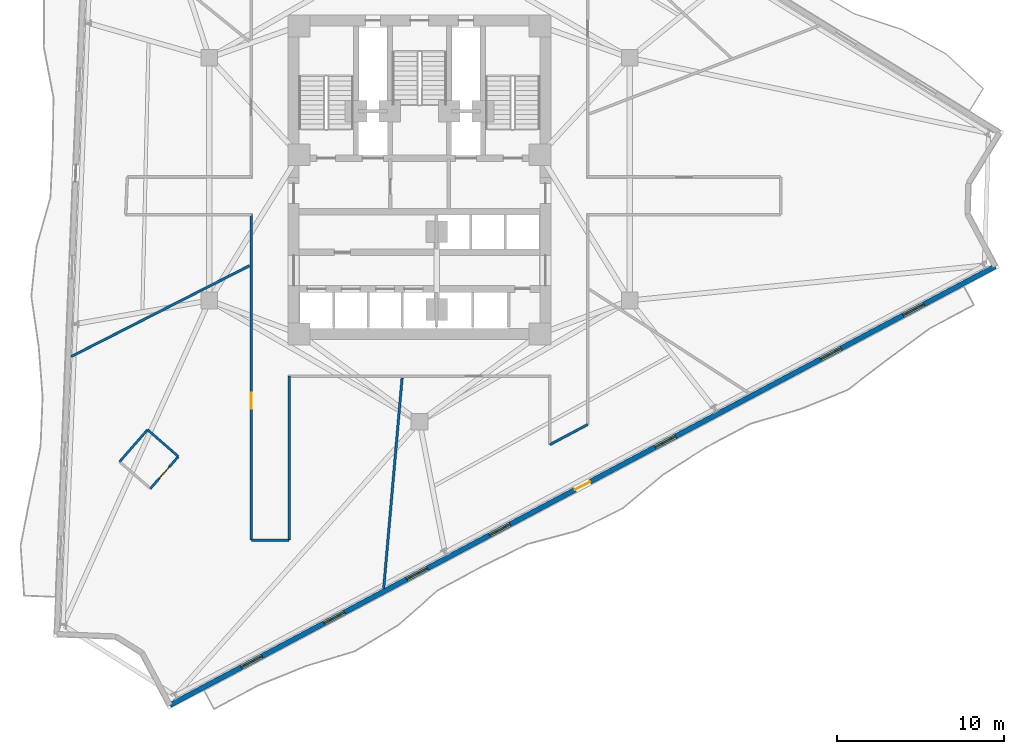
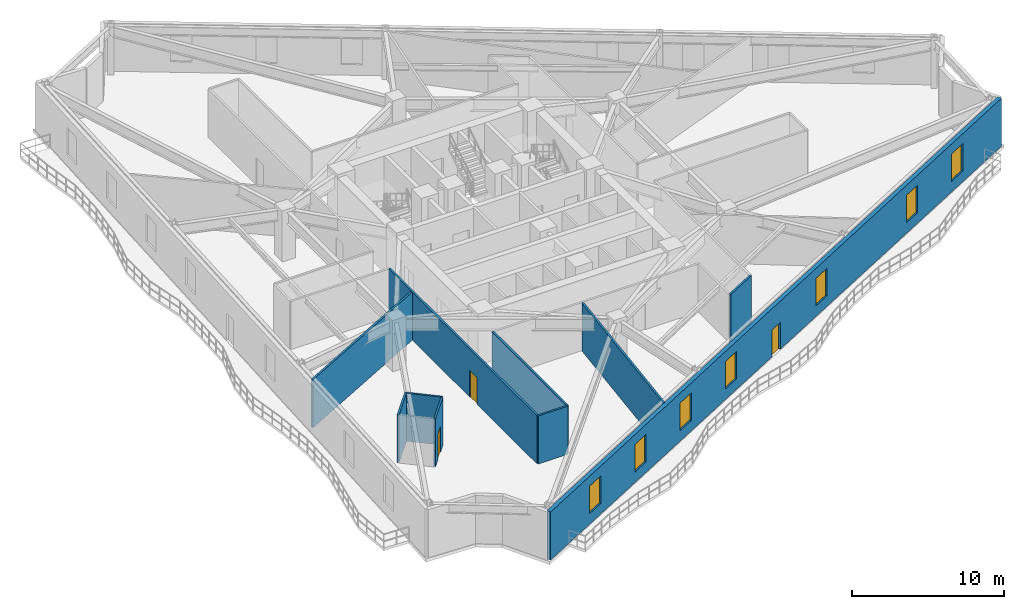
# One storey, part 5 of 12: 10 walls, 7 windows, 3 doors, 10 openings.
"""IFC4 building model written with IfcOpenShell, lengths in metres."""

from ifc_helpers import new_model, si_unit, direction, frame, frame_2d, origin, place, context, subcontext, project, spatial, rectangle, extrude, material, layer, layer_set, type_object, element, fill, save


model = new_model("IFC4")

# Units and contexts
model_context = context("Model", 3, precision=1e-05, world=origin(), true_north=direction((0.0, 1.0)))
body_context = subcontext(model_context, "Body", "Model", "MODEL_VIEW")
ifc_project = project(units=[si_unit("LENGTHUNIT", "METRE"), si_unit("AREAUNIT", "SQUARE_METRE"), si_unit("VOLUMEUNIT", "CUBIC_METRE"), si_unit("PLANEANGLEUNIT", "RADIAN"), si_unit("MASSUNIT", "GRAM", prefix="KILO")], contexts=[model_context])

# Site, building, storey
site_placement = place(None, origin())
site = spatial("IfcSite", under=ifc_project, at=site_placement, CompositionType="ELEMENT")
building_placement = place(site_placement, origin())
building = spatial("IfcBuilding", under=site, at=building_placement, Name="Apsidion Concourse Tower", CompositionType="ELEMENT")
storey_placement = place(building_placement, frame((0.0, 0.0, 181.89990234375)))
storey = spatial("IfcBuildingStorey", under=building, at=storey_placement, Name="L42", CompositionType="ELEMENT", Elevation=181.89990234375)

# Wall, openings, door, windows
ifc_material_1 = material(Name="Precast concrete C40/50", Category="concrete")
ifc_layer_1 = layer(ifc_material_1, 0.300048828125)
ifc_layer_set_1 = layer_set([ifc_layer_1], Name="Precast concrete C40/50")
wall_type_1 = type_object("IfcWallType", Name="WL-EXT-300", PredefinedType="STANDARD", material=ifc_layer_set_1)
wall_1_placement = place(storey_placement, frame((34.398193359375, -5.216796875, 0.0), z_axis=(0.0, 0.0, 1.0), x_axis=(-0.88294811928, -0.469470572731, 0.0)))
wall_1 = element("IfcWall", 1, at=wall_1_placement, inside=storey, type_object=wall_type_1, Name="L42 Precast Stone Facade Wall 05", PredefinedType="STANDARD", context=body_context, shape_type="SweptSolid", body=[
    extrude(rectangle(XDim=55.845458984375, YDim=0.300048828125, at=frame_2d((27.9228515625, 0.0))), origin(), (0.0, 0.0, 1.0), 3.85009765625),
])
opening_1_placement = place(wall_1_placement, frame((27.422607421875, 0.0, 0.0)))
opening_1 = element("IfcOpeningElement", 2, at=opening_1_placement, cuts=wall_1, Name="Opening D-T1R", PredefinedType="OPENING", context=body_context, shape_type="SweptSolid", body=[
    extrude(rectangle(XDim=1.0, YDim=2.14990234375, at=frame_2d((0.5, 1.074951171875))), frame((0.0, 0.16015625, 0.0), z_axis=(0.0, -1.0, 0.0), x_axis=(1.0, 0.0, 0.0)), (0.0, 0.0, 1.0), 0.320068359375),
])
opening_2_placement = place(wall_1_placement, frame((4.82275390625, 0.0, 0.85009765625)))
opening_2 = element("IfcOpeningElement", 3, at=opening_2_placement, cuts=wall_1, Name="Opening WN-05", PredefinedType="OPENING", context=body_context, shape_type="SweptSolid", body=[
    extrude(rectangle(XDim=1.39990234375, YDim=2.199951171875, at=frame_2d((0.699951171875, 1.10009765625))), frame((0.0, 0.16015625, 0.0), z_axis=(0.0, -1.0, 0.0), x_axis=(1.0, 0.0, 0.0)), (0.0, 0.0, 1.0), 0.320068359375),
])
opening_3_placement = place(wall_1_placement, frame((10.422607421875, 0.0, 0.85009765625)))
opening_3 = element("IfcOpeningElement", 4, at=opening_3_placement, cuts=wall_1, Name="Opening WN-05", PredefinedType="OPENING", context=body_context, shape_type="SweptSolid", body=[
    extrude(rectangle(XDim=1.39990234375, YDim=2.199951171875, at=frame_2d((0.699951171875, 1.10009765625))), frame((0.0, 0.16015625, 0.0), z_axis=(0.0, -1.0, 0.0), x_axis=(1.0, 0.0, 0.0)), (0.0, 0.0, 1.0), 0.320068359375),
])
opening_4_placement = place(wall_1_placement, frame((21.622802734375, 0.0, 0.85009765625)))
opening_4 = element("IfcOpeningElement", 5, at=opening_4_placement, cuts=wall_1, Name="Opening WN-05", PredefinedType="OPENING", context=body_context, shape_type="SweptSolid", body=[
    extrude(rectangle(XDim=1.39990234375, YDim=2.199951171875, at=frame_2d((0.699951171875, 1.10009765625))), frame((0.0, 0.16015625, 0.0), z_axis=(0.0, -1.0, 0.0), x_axis=(1.0, 0.0, 0.0)), (0.0, 0.0, 1.0), 0.320068359375),
])
opening_5_placement = place(wall_1_placement, frame((32.82275390625, 0.0, 0.85009765625)))
opening_5 = element("IfcOpeningElement", 6, at=opening_5_placement, cuts=wall_1, Name="Opening WN-05", PredefinedType="OPENING", context=body_context, shape_type="SweptSolid", body=[
    extrude(rectangle(XDim=1.39990234375, YDim=2.199951171875, at=frame_2d((0.699951171875, 1.10009765625))), frame((0.0, 0.16015625, 0.0), z_axis=(0.0, -1.0, 0.0), x_axis=(1.0, 0.0, 0.0)), (0.0, 0.0, 1.0), 0.320068359375),
])
opening_6_placement = place(wall_1_placement, frame((38.422607421875, 0.0, 0.85009765625)))
opening_6 = element("IfcOpeningElement", 7, at=opening_6_placement, cuts=wall_1, Name="Opening WN-05", PredefinedType="OPENING", context=body_context, shape_type="SweptSolid", body=[
    extrude(rectangle(XDim=1.39990234375, YDim=2.199951171875, at=frame_2d((0.699951171875, 1.10009765625))), frame((0.0, 0.16015625, 0.0), z_axis=(0.0, -1.0, 0.0), x_axis=(1.0, 0.0, 0.0)), (0.0, 0.0, 1.0), 0.320068359375),
])
opening_7_placement = place(wall_1_placement, frame((44.022705078125, 0.0, 0.85009765625)))
opening_7 = element("IfcOpeningElement", 8, at=opening_7_placement, cuts=wall_1, Name="Opening WN-05", PredefinedType="OPENING", context=body_context, shape_type="SweptSolid", body=[
    extrude(rectangle(XDim=1.39990234375, YDim=2.199951171875, at=frame_2d((0.699951171875, 1.10009765625))), frame((0.0, 0.16015625, 0.0), z_axis=(0.0, -1.0, 0.0), x_axis=(1.0, 0.0, 0.0)), (0.0, 0.0, 1.0), 0.320068359375),
])
opening_8_placement = place(wall_1_placement, frame((49.622802734375, 0.0, 0.85009765625)))
opening_8 = element("IfcOpeningElement", 9, at=opening_8_placement, cuts=wall_1, Name="Opening WN-05", PredefinedType="OPENING", context=body_context, shape_type="SweptSolid", body=[
    extrude(rectangle(XDim=1.39990234375, YDim=2.199951171875, at=frame_2d((0.699951171875, 1.10009765625))), frame((0.0, 0.16015625, 0.0), z_axis=(0.0, -1.0, 0.0), x_axis=(1.0, 0.0, 0.0)), (0.0, 0.0, 1.0), 0.320068359375),
])
ifc_material_2 = material(Name="Anodised aluminium EN AW-6063 T6", Category="aluminium")
door_type_1 = type_object("IfcDoorType", Name="DR-TER-1022R", OperationType="SINGLE_SWING_RIGHT", PredefinedType="DOOR", material=ifc_material_2)
door_1_placement = place(opening_1_placement, origin())
door_1 = element("IfcDoor", 10, at=door_1_placement, inside=storey, type_object=door_type_1, Name="L42 Balcony Access Door 2", OperationType="SINGLE_SWING_RIGHT", OverallHeight=2.14990234375, OverallWidth=1.0, PredefinedType="DOOR", context=body_context, shape_type="SweptSolid", body=[
    extrude(rectangle(XDim=1.0, YDim=2.14990234375, at=frame_2d((0.5, 1.074951171875))), frame((0.0, 0.02490234375, 0.0), z_axis=(0.0, -1.0, 0.0), x_axis=(1.0, 0.0, 0.0)), (0.0, 0.0, 1.0), 0.050048828125),
])
fill(opening_1, door_1)
ifc_material_3 = material(Name="Insulated laminated low-E glass", Category="glass")
window_type = type_object("IfcWindowType", Name="WN-OFF-1424", PartitioningType="SINGLE_PANEL", PredefinedType="WINDOW", material=ifc_material_3)
window_1_placement = place(opening_2_placement, origin())
window_1 = element("IfcWindow", 11, at=window_1_placement, inside=storey, type_object=window_type, Name="L42 Punched Facade Window 5-01", OverallHeight=2.199951171875, OverallWidth=1.39990234375, PartitioningType="SINGLE_PANEL", PredefinedType="WINDOW", context=body_context, shape_type="SweptSolid", body=[
    extrude(rectangle(XDim=1.39990234375, YDim=2.199951171875, at=frame_2d((0.699951171875, 1.10009765625))), frame((0.0, 0.030029296875, 0.0), z_axis=(0.0, -1.0, 0.0), x_axis=(1.0, 0.0, 0.0)), (0.0, 0.0, 1.0), 0.06005859375),
])
fill(opening_2, window_1)
window_2_placement = place(opening_3_placement, origin())
window_2 = element("IfcWindow", 12, at=window_2_placement, inside=storey, type_object=window_type, Name="L42 Punched Facade Window 5-02", OverallHeight=2.199951171875, OverallWidth=1.39990234375, PartitioningType="SINGLE_PANEL", PredefinedType="WINDOW", context=body_context, shape_type="SweptSolid", body=[
    extrude(rectangle(XDim=1.39990234375, YDim=2.199951171875, at=frame_2d((0.699951171875, 1.10009765625))), frame((0.0, 0.030029296875, 0.0), z_axis=(0.0, -1.0, 0.0), x_axis=(1.0, 0.0, 0.0)), (0.0, 0.0, 1.0), 0.06005859375),
])
fill(opening_3, window_2)
window_3_placement = place(opening_4_placement, origin())
window_3 = element("IfcWindow", 13, at=window_3_placement, inside=storey, type_object=window_type, Name="L42 Punched Facade Window 5-04", OverallHeight=2.199951171875, OverallWidth=1.39990234375, PartitioningType="SINGLE_PANEL", PredefinedType="WINDOW", context=body_context, shape_type="SweptSolid", body=[
    extrude(rectangle(XDim=1.39990234375, YDim=2.199951171875, at=frame_2d((0.699951171875, 1.10009765625))), frame((0.0, 0.030029296875, 0.0), z_axis=(0.0, -1.0, 0.0), x_axis=(1.0, 0.0, 0.0)), (0.0, 0.0, 1.0), 0.06005859375),
])
fill(opening_4, window_3)
window_4_placement = place(opening_5_placement, origin())
window_4 = element("IfcWindow", 14, at=window_4_placement, inside=storey, type_object=window_type, Name="L42 Punched Facade Window 5-06", OverallHeight=2.199951171875, OverallWidth=1.39990234375, PartitioningType="SINGLE_PANEL", PredefinedType="WINDOW", context=body_context, shape_type="SweptSolid", body=[
    extrude(rectangle(XDim=1.39990234375, YDim=2.199951171875, at=frame_2d((0.699951171875, 1.10009765625))), frame((0.0, 0.030029296875, 0.0), z_axis=(0.0, -1.0, 0.0), x_axis=(1.0, 0.0, 0.0)), (0.0, 0.0, 1.0), 0.06005859375),
])
fill(opening_5, window_4)
window_5_placement = place(opening_6_placement, origin())
window_5 = element("IfcWindow", 15, at=window_5_placement, inside=storey, type_object=window_type, Name="L42 Punched Facade Window 5-07", OverallHeight=2.199951171875, OverallWidth=1.39990234375, PartitioningType="SINGLE_PANEL", PredefinedType="WINDOW", context=body_context, shape_type="SweptSolid", body=[
    extrude(rectangle(XDim=1.39990234375, YDim=2.199951171875, at=frame_2d((0.699951171875, 1.10009765625))), frame((0.0, 0.030029296875, 0.0), z_axis=(0.0, -1.0, 0.0), x_axis=(1.0, 0.0, 0.0)), (0.0, 0.0, 1.0), 0.06005859375),
])
fill(opening_6, window_5)
window_6_placement = place(opening_7_placement, origin())
window_6 = element("IfcWindow", 16, at=window_6_placement, inside=storey, type_object=window_type, Name="L42 Punched Facade Window 5-08", OverallHeight=2.199951171875, OverallWidth=1.39990234375, PartitioningType="SINGLE_PANEL", PredefinedType="WINDOW", context=body_context, shape_type="SweptSolid", body=[
    extrude(rectangle(XDim=1.39990234375, YDim=2.199951171875, at=frame_2d((0.699951171875, 1.10009765625))), frame((0.0, 0.030029296875, 0.0), z_axis=(0.0, -1.0, 0.0), x_axis=(1.0, 0.0, 0.0)), (0.0, 0.0, 1.0), 0.06005859375),
])
fill(opening_7, window_6)
window_7_placement = place(opening_8_placement, origin())
window_7 = element("IfcWindow", 17, at=window_7_placement, inside=storey, type_object=window_type, Name="L42 Punched Facade Window 5-09", OverallHeight=2.199951171875, OverallWidth=1.39990234375, PartitioningType="SINGLE_PANEL", PredefinedType="WINDOW", context=body_context, shape_type="SweptSolid", body=[
    extrude(rectangle(XDim=1.39990234375, YDim=2.199951171875, at=frame_2d((0.699951171875, 1.10009765625))), frame((0.0, 0.030029296875, 0.0), z_axis=(0.0, -1.0, 0.0), x_axis=(1.0, 0.0, 0.0)), (0.0, 0.0, 1.0), 0.06005859375),
])
fill(opening_8, window_7)

# Wall
ifc_material_4 = material(Name="Gypsum plasterboard partition")
ifc_layer_2 = layer(ifc_material_4, 0.139892578125)
ifc_layer_set_2 = layer_set([ifc_layer_2], Name="Gypsum plasterboard partition")
wall_type_2 = type_object("IfcWallType", Name="WL-INT-PAR-140", PredefinedType="PARTITIONING", material=ifc_layer_set_2)
wall_2_placement = place(storey_placement, frame((-16.251708984375, -14.974609375, 0.0), z_axis=(0.0, 0.0, 1.0), x_axis=(-0.657360622572, -0.753576148701, 0.0)))
element("IfcWall", 18, at=wall_2_placement, inside=storey, type_object=wall_type_2, Name="L42 Interior Partition WL-L42-POD-OFAWC-S1", PredefinedType="PARTITIONING", context=body_context, shape_type="SweptSolid", body=[
    extrude(rectangle(XDim=2.5400390625, YDim=0.139892578125, at=frame_2d((1.27001953125, 0.0))), origin(), (0.0, 0.0, 1.0), 3.85009765625),
])

# Wall, opening, door
wall_3_placement = place(storey_placement, frame((-16.08251953125, -18.49267578125, 0.0), z_axis=(0.0, 0.0, 1.0), x_axis=(0.657360622572, 0.753576148701, 0.0)))
wall_3 = element("IfcWall", 19, at=wall_3_placement, inside=storey, type_object=wall_type_2, Name="L42 Interior Partition WL-L42-POD-OFAWC-S3", PredefinedType="PARTITIONING", context=body_context, shape_type="SweptSolid", body=[
    extrude(rectangle(XDim=2.5400390625, YDim=0.139892578125, at=frame_2d((1.27001953125, 0.0))), origin(), (0.0, 0.0, 1.0), 3.85009765625),
])
opening_9_placement = place(wall_3_placement, frame((0.830078125, 0.0, 0.0)))
opening_9 = element("IfcOpeningElement", 20, at=opening_9_placement, cuts=wall_3, Name="Opening D-03R", PredefinedType="OPENING", context=body_context, shape_type="SweptSolid", body=[
    extrude(rectangle(XDim=0.8798828125, YDim=2.10009765625, at=frame_2d((0.43994140625, 1.050048828125))), frame((0.0, 0.080078125, 0.0), z_axis=(0.0, -1.0, 0.0), x_axis=(1.0, 0.0, 0.0)), (0.0, 0.0, 1.0), 0.159912109375),
])
door_type_2 = type_object("IfcDoorType", Name="DR-INT-D03R", OperationType="SINGLE_SWING_RIGHT", PredefinedType="DOOR", material=ifc_material_2)
door_2_placement = place(opening_9_placement, origin())
door_2 = element("IfcDoor", 21, at=door_2_placement, inside=storey, type_object=door_type_2, Name="L42 Office Accessible WC Door OFAWC", OperationType="SINGLE_SWING_RIGHT", OverallHeight=2.10009765625, OverallWidth=0.8798828125, PredefinedType="DOOR", context=body_context, shape_type="SweptSolid", body=[
    extrude(rectangle(XDim=0.8798828125, YDim=2.10009765625, at=frame_2d((0.43994140625, 1.050048828125))), frame((0.0, 0.02490234375, 0.0), z_axis=(0.0, -1.0, 0.0), x_axis=(1.0, 0.0, 0.0)), (0.0, 0.0, 1.0), 0.050048828125),
])
fill(opening_9, door_2)

# Walls
wall_4_placement = place(storey_placement, frame((-14.412841796875, -16.57861328125, 0.0), z_axis=(0.0, 0.0, 1.0), x_axis=(-0.753592256426, 0.65734215676, 0.0)))
element("IfcWall", 22, at=wall_4_placement, inside=storey, type_object=wall_type_2, Name="L42 Interior Partition WL-L42-POD-OFAWC-S4", PredefinedType="PARTITIONING", context=body_context, shape_type="SweptSolid", body=[
    extrude(rectangle(XDim=2.440185546875, YDim=0.139892578125, at=frame_2d((1.22021484375, 0.0))), origin(), (0.0, 0.0, 1.0), 3.85009765625),
])
ifc_layer_3 = layer(ifc_material_4, 0.14990234375)
ifc_layer_set_3 = layer_set([ifc_layer_3], Name="Gypsum plasterboard partition")
wall_type_3 = type_object("IfcWallType", Name="WL-INT-PAR-150", PredefinedType="PARTITIONING", material=ifc_layer_set_3)
wall_5_placement = place(storey_placement, frame((10.050048828125, -14.6689453125, 0.0), z_axis=(0.0, 0.0, 1.0), x_axis=(-0.88294894539, -0.469469019035, 0.0)))
element("IfcWall", 23, at=wall_5_placement, inside=storey, type_object=wall_type_3, Name="L42 Interior Partition WL-L42-CORR-01", PredefinedType="PARTITIONING", context=body_context, shape_type="SweptSolid", body=[
    extrude(rectangle(XDim=2.5595703125, YDim=0.14990234375, at=frame_2d((1.27978515625, 0.0))), origin(), (0.0, 0.0, 1.0), 3.85009765625),
])
wall_6_placement = place(storey_placement, frame((-7.7900390625, -11.77490234375, 0.0), z_axis=(0.0, 0.0, 1.0), x_axis=(0.0, -1.0, 0.0)))
element("IfcWall", 24, at=wall_6_placement, inside=storey, type_object=wall_type_3, Name="L42 Interior Partition WL-L42-CORR-04", PredefinedType="PARTITIONING", context=body_context, shape_type="SweptSolid", body=[
    extrude(rectangle(XDim=9.80517578125, YDim=0.14990234375, at=frame_2d((4.902587890625, 0.0))), origin(), (0.0, 0.0, 1.0), 3.85009765625),
])
wall_7_placement = place(storey_placement, frame((-7.7900390625, -21.580078125, 0.0), z_axis=(0.0, 0.0, 1.0), x_axis=(-1.0, 0.0, 0.0)))
element("IfcWall", 25, at=wall_7_placement, inside=storey, type_object=wall_type_3, Name="L42 Interior Partition WL-L42-CORR-05", PredefinedType="PARTITIONING", context=body_context, shape_type="SweptSolid", body=[
    extrude(rectangle(XDim=2.260009765625, YDim=0.14990234375, at=frame_2d((1.1298828125, 0.0))), origin(), (0.0, 0.0, 1.0), 3.85009765625),
])

# Wall, opening, door
wall_8_placement = place(storey_placement, frame((-10.050048828125, -21.580078125, 0.0), z_axis=(0.0, 0.0, 1.0), x_axis=(0.0, 1.0, 0.0)))
wall_8 = element("IfcWall", 26, at=wall_8_placement, inside=storey, type_object=wall_type_3, Name="L42 Interior Partition WL-L42-CORR-06", PredefinedType="PARTITIONING", context=body_context, shape_type="SweptSolid", body=[
    extrude(rectangle(XDim=19.4501953125, YDim=0.14990234375, at=frame_2d((9.72509765625, 0.0))), origin(), (0.0, 0.0, 1.0), 3.85009765625),
])
opening_10_placement = place(wall_8_placement, frame((7.857421875, 0.0, 0.0)))
opening_10 = element("IfcOpeningElement", 27, at=opening_10_placement, cuts=wall_8, Name="Opening D-01L", PredefinedType="OPENING", context=body_context, shape_type="SweptSolid", body=[
    extrude(rectangle(XDim=0.949951171875, YDim=2.14990234375, at=frame_2d((0.47509765625, 1.074951171875))), frame((0.0, 0.0849609375, 0.0), z_axis=(0.0, -1.0, 0.0), x_axis=(1.0, 0.0, 0.0)), (0.0, 0.0, 1.0), 0.169921875),
])
ifc_material_5 = material(Name="Brushed stainless steel 316", Category="steel")
door_type_3 = type_object("IfcDoorType", Name="DR-INT-D01L", OperationType="SINGLE_SWING_LEFT", PredefinedType="DOOR", material=ifc_material_5)
door_3_placement = place(opening_10_placement, origin())
door_3 = element("IfcDoor", 28, at=door_3_placement, inside=storey, type_object=door_type_3, Name="L42 Corridor Entry Door 01", OperationType="SINGLE_SWING_LEFT", OverallHeight=2.14990234375, OverallWidth=0.949951171875, PredefinedType="DOOR", context=body_context, shape_type="SweptSolid", body=[
    extrude(rectangle(XDim=0.949951171875, YDim=2.14990234375, at=frame_2d((0.47509765625, 1.074951171875))), frame((0.0, 0.02490234375, 0.0), z_axis=(0.0, -1.0, 0.0), x_axis=(1.0, 0.0, 0.0)), (0.0, 0.0, 1.0), 0.050048828125),
])
fill(opening_10, door_3)

# Walls
wall_9_placement = place(storey_placement, frame((-10.155029296875, -5.17431640625, 0.0), z_axis=(0.0, 0.0, 1.0), x_axis=(-0.891004955427, -0.453993578593, 0.0)))
element("IfcWall", 29, at=wall_9_placement, inside=storey, type_object=wall_type_3, Name="L42 Interior Partition WL-L42-RAD-04-1", PredefinedType="PARTITIONING", context=body_context, shape_type="SweptSolid", body=[
    extrude(rectangle(XDim=11.975341796875, YDim=0.14990234375, at=frame_2d((5.98779296875, 0.0))), origin(), (0.0, 0.0, 1.0), 3.85009765625),
])
wall_10_placement = place(storey_placement, frame((-1.039306640625, -11.8798828125, 0.0), z_axis=(0.0, 0.0, 1.0), x_axis=(-0.087151118592, -0.996195102642, 0.0)))
element("IfcWall", 30, at=wall_10_placement, inside=storey, type_object=wall_type_3, Name="L42 Interior Partition WL-L42-RAD-05-1", PredefinedType="PARTITIONING", context=body_context, shape_type="SweptSolid", body=[
    extrude(rectangle(XDim=12.625732421875, YDim=0.14990234375, at=frame_2d((6.31298828125, 0.0))), origin(), (0.0, 0.0, 1.0), 3.85009765625),
])

save(model, "model.ifc")
